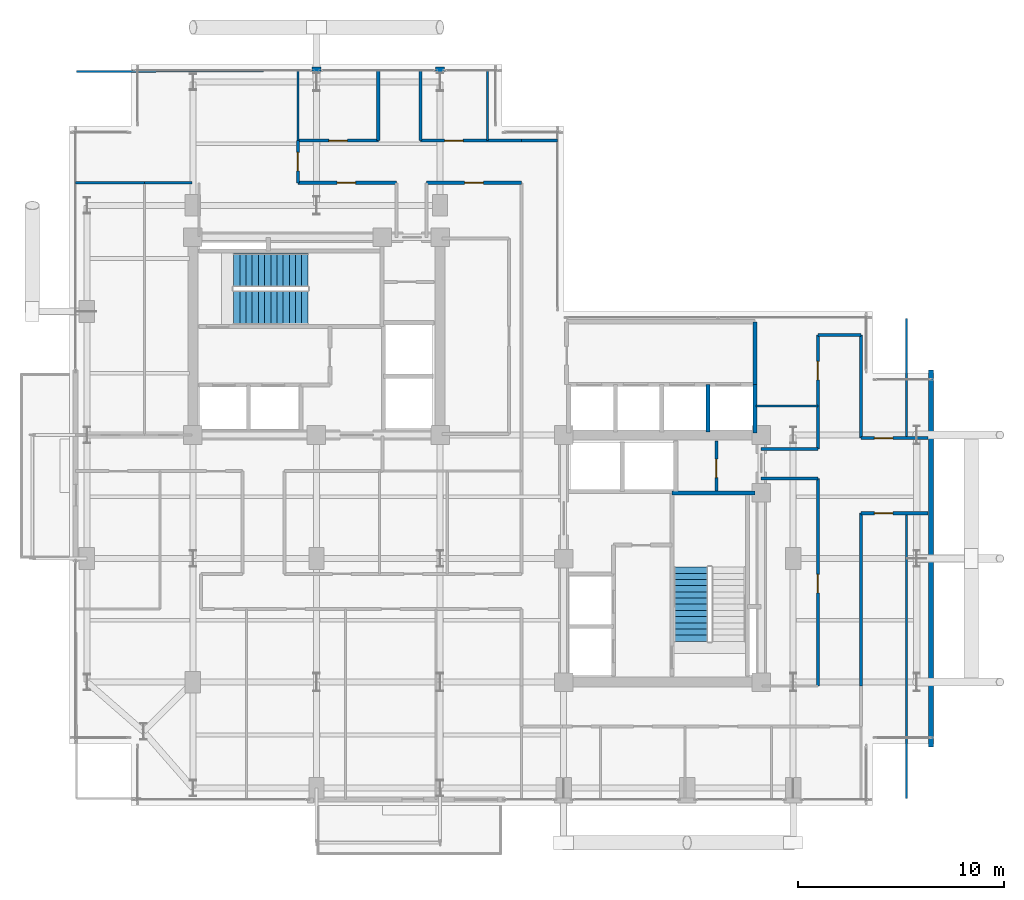
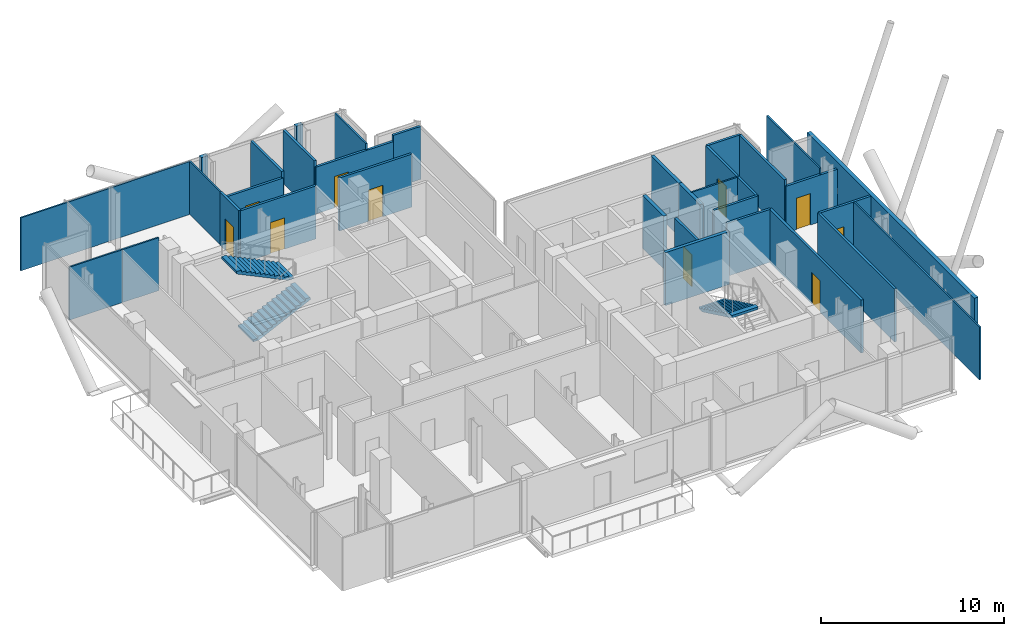
# One storey, part 19 of 22: 33 walls, 10 doors, 3 stair flights, 10 openings, 2 elements without a shape of their own.
"""IFC4 building model written with IfcOpenShell, lengths in metres."""

from ifc_helpers import new_model, si_unit, direction, frame, frame_2d, origin, place, context, subcontext, project, spatial, polyline, rectangle, outline, extrude, material, layer, layer_set, type_object, element, fill, aggregate, save


model = new_model("IFC4")

# Units and contexts
model_context = context("Model", 3, precision=1e-05, world=origin(), true_north=direction((0.0, 1.0)))
body_context = subcontext(model_context, "Body", "Model", "MODEL_VIEW")
ifc_project = project(units=[si_unit("LENGTHUNIT", "METRE"), si_unit("AREAUNIT", "SQUARE_METRE"), si_unit("VOLUMEUNIT", "CUBIC_METRE"), si_unit("PLANEANGLEUNIT", "RADIAN"), si_unit("MASSUNIT", "GRAM", prefix="KILO"), si_unit("THERMODYNAMICTEMPERATUREUNIT", "KELVIN"), si_unit("POWERUNIT", "WATT")], contexts=[model_context])

# Site, building, storey
site_placement = place(None, origin())
site = spatial("IfcSite", under=ifc_project, at=site_placement, CompositionType="ELEMENT")
building_placement = place(site_placement, origin())
building = spatial("IfcBuilding", under=site, at=building_placement, Name="Svarakhadi Broadcast Tower", CompositionType="ELEMENT")
storey_placement = place(building_placement, frame((0.0, 0.0, 191.699951171875)))
storey = spatial("IfcBuildingStorey", under=building, at=storey_placement, Name="L47", CompositionType="ELEMENT", Elevation=191.699951171875)

# Walls
ifc_material_1 = material(Name="Concrete C40/50 (IS 456 M50)", Category="concrete")
ifc_layer_1 = layer(ifc_material_1, 0.239990234375)
ifc_layer_set_1 = layer_set([ifc_layer_1], Name="Concrete C40/50 (IS 456 M50)")
wall_type_1 = type_object("IfcWallType", Name="Wall_Ext_240", PredefinedType="SOLIDWALL", material=ifc_layer_set_1)
wall_1_placement = place(storey_placement, frame((41.85009765625, 21.14990234375, 0.0), z_axis=(0.0, 0.0, 1.0), x_axis=(0.0, -1.0, 0.0)))
element("IfcWall", 1, at=wall_1_placement, inside=storey, type_object=wall_type_1, Name="L47 Sky-Pool Raker Anchor Exterior Wall", PredefinedType="SOLIDWALL", context=body_context, shape_type="SweptSolid", body=[
    extrude(rectangle(XDim=18.2998046875, YDim=0.239990234375, at=frame_2d((9.14990234375, 0.0))), origin(), (0.0, 0.0, 1.0), 3.5400390625),
])
for number, where, z_axis, x_axis, name in (
    (2, (11.784912109375, 35.760009765625, 0.0), (0.0, 0.0, 1.0), (1.0, 0.0, 0.0), "L47 Perimeter Bronze Spandrel Closure Wall 01"),
    (3, (17.784912109375, 35.760009765625, 0.0), (0.0, 0.0, 1.0), (1.0, 0.0, 0.0), "L47 Perimeter Bronze Spandrel Closure Wall 02"),
):
    element("IfcWall", number, at=place(storey_placement, frame(where, z_axis=z_axis, x_axis=x_axis)), inside=storey, type_object=wall_type_1, Name=name, PredefinedType="SOLIDWALL", context=body_context, shape_type="SweptSolid", body=[
        extrude(rectangle(XDim=0.43017578125, YDim=0.239990234375, at=frame_2d((0.215087890625, 0.0))), origin(), (0.0, 0.0, 1.0), 3.5400390625),
    ])
ifc_material_2 = material(Name="Fire-Rated Moisture-Resistant Gypsum Board Partition", Category="gypsum")
ifc_layer_2 = layer(ifc_material_2, 0.10009765625)
ifc_layer_set_2 = layer_set([ifc_layer_2], Name="Fire-Rated Moisture-Resistant Gypsum Board Partition")
wall_type_2 = type_object("IfcWallType", Name="Wall_Part_100", PredefinedType="PARTITIONING", material=ifc_layer_set_2)
wall_2_placement = place(storey_placement, frame((0.300048828125, 30.25, 0.0), z_axis=(0.0, 0.0, 1.0), x_axis=(1.0, 0.0, 0.0)))
element("IfcWall", 4, at=wall_2_placement, inside=storey, type_object=wall_type_2, Name="L47 Wellness Relaxation Alcove Wall", PredefinedType="PARTITIONING", context=body_context, shape_type="SweptSolid", body=[
    extrude(rectangle(XDim=3.349853515625, YDim=0.10009765625, at=frame_2d((1.6748046875, 0.0))), origin(), (0.0, 0.0, 1.0), 3.5400390625),
])
wall_3_placement = place(storey_placement, frame((3.64990234375, 30.25, 0.0), z_axis=(0.0, 0.0, 1.0), x_axis=(1.0, 0.0, 0.0)))
element("IfcWall", 5, at=wall_3_placement, inside=storey, type_object=wall_type_2, Name="L47 Herbal Tea Consultation Room Wall", PredefinedType="PARTITIONING", context=body_context, shape_type="SweptSolid", body=[
    extrude(rectangle(XDim=2.300048828125, YDim=0.10009765625, at=frame_2d((1.14990234375, 0.0))), origin(), (0.0, 0.0, 1.0), 3.5400390625),
])
wall_4_placement = place(storey_placement, frame((40.64990234375, 17.85009765625, 0.0), z_axis=(0.0, 0.0, 1.0), x_axis=(0.0, 1.0, 0.0)))
element("IfcWall", 6, at=wall_4_placement, inside=storey, type_object=wall_type_2, Name="L47 Hotel Harbour Panorama Suite Wall", PredefinedType="PARTITIONING", context=body_context, shape_type="SweptSolid", body=[
    extrude(rectangle(XDim=5.7998046875, YDim=0.10009765625, at=frame_2d((2.89990234375, 0.0))), origin(), (0.0, 0.0, 1.0), 3.5400390625),
])
wall_5_placement = place(storey_placement, frame((33.35009765625, 19.39990234375, 0.0), z_axis=(0.0, 0.0, 1.0), x_axis=(1.0, 0.0, 0.0)))
element("IfcWall", 7, at=wall_5_placement, inside=storey, type_object=wall_type_2, Name="L47 Harbour Sunset Reading Lounge Wall", PredefinedType="PARTITIONING", context=body_context, shape_type="SweptSolid", body=[
    extrude(rectangle(XDim=3.0, YDim=0.10009765625, at=frame_2d((1.5, 0.0))), origin(), (0.0, 0.0, 1.0), 3.5400390625),
])
wall_6_placement = place(storey_placement, frame((40.64990234375, 0.35009765625, 0.0), z_axis=(0.0, 0.0, 1.0), x_axis=(0.0, 1.0, 0.0)))
element("IfcWall", 8, at=wall_6_placement, inside=storey, type_object=wall_type_2, Name="L47 Harbour Spa Treatment Suite Wall", PredefinedType="PARTITIONING", context=body_context, shape_type="SweptSolid", body=[
    extrude(rectangle(XDim=13.849853515625, YDim=0.10009765625, at=frame_2d((6.9248046875, 0.0))), origin(), (0.0, 0.0, 1.0), 3.5400390625),
])
wall_7_placement = place(storey_placement, frame((0.35009765625, 35.64990234375, 0.0), z_axis=(0.0, 0.0, 1.0), x_axis=(0.999989162382, 0.004655654485, 0.0)))
element("IfcWall", 9, at=wall_7_placement, inside=storey, type_object=wall_type_2, Name="L47 Hotel Guest Yoga and Wellness Studio Wall", PredefinedType="PARTITIONING", context=body_context, shape_type="SweptSolid", body=[
    extrude(rectangle(XDim=10.75, YDim=0.10009765625, at=frame_2d((5.375, 0.0))), origin(), (0.0, 0.0, 1.0), 3.5400390625),
])
for number, where, z_axis, x_axis, name in (
    (10, (11.10009765625, 32.300048828125, 0.0), (0.0, 0.0, 1.0), (0.0, 1.0, 0.0), "L47 Guest Wellness Relaxation Salon Wall"),
    (11, (20.300048828125, 32.300048828125, 0.0), (0.0, 0.0, 1.0), (0.0, 1.0, 0.0), "L47 Hotel Pilates Studio Wall"),
):
    element("IfcWall", number, at=place(storey_placement, frame(where, z_axis=z_axis, x_axis=x_axis)), inside=storey, type_object=wall_type_2, Name=name, PredefinedType="PARTITIONING", context=body_context, shape_type="SweptSolid", body=[
        extrude(rectangle(XDim=3.39990234375, YDim=0.10009765625, at=frame_2d((1.699951171875, 0.0))), origin(), (0.0, 0.0, 1.0), 3.5400390625),
    ])

# Wall, opening, door
ifc_material_3 = material(Name="Autoclaved Aerated Concrete Blockwork 150 mm", Category="masonry")
ifc_layer_3 = layer(ifc_material_3, 0.14990234375)
ifc_layer_set_3 = layer_set([ifc_layer_3], Name="Autoclaved Aerated Concrete Blockwork 150 mm")
wall_type_3 = type_object("IfcWallType", Name="Wall_Part_150", PredefinedType="PARTITIONING", material=ifc_layer_set_3)
wall_8_placement = place(storey_placement, frame((31.419921875, 15.280029296875, 0.0), z_axis=(0.0, 0.0, 1.0), x_axis=(0.0, 1.0, 0.0)))
wall_8 = element("IfcWall", 12, at=wall_8_placement, inside=storey, type_object=wall_type_3, Name="L47 East Core Dual Store Wall", PredefinedType="PARTITIONING", context=body_context, shape_type="SweptSolid", body=[
    extrude(rectangle(XDim=2.419921875, YDim=0.14990234375, at=frame_2d((1.2099609375, 0.0))), origin(), (0.0, 0.0, 1.0), 3.5400390625),
])
opening_1_placement = place(wall_8_placement, frame((0.64990234375, 0.0, 0.0)))
opening_1 = element("IfcOpeningElement", 13, at=opening_1_placement, cuts=wall_8, Name="Opening D-04", PredefinedType="OPENING", context=body_context, shape_type="SweptSolid", body=[
    extrude(rectangle(XDim=0.89990234375, YDim=2.14990234375, at=frame_2d((0.449951171875, 1.074951171875))), frame((0.0, 0.0849609375, 0.0), z_axis=(0.0, -1.0, 0.0), x_axis=(1.0, 0.0, 0.0)), (0.0, 0.0, 1.0), 0.169921875),
])
ifc_material_4 = material(Name="Galvanised Powder-Coated Fire-Rated Steel Leaf", Category="steel")
door_type_1 = type_object("IfcDoorType", Name="Door_Fire_D04", OperationType="SINGLE_SWING_RIGHT", PredefinedType="DOOR", material=ifc_material_4)
door_1_placement = place(opening_1_placement, origin())
door_1 = element("IfcDoor", 14, at=door_1_placement, inside=storey, type_object=door_type_1, Name="L47 East Core Store B Door", OperationType="SINGLE_SWING_RIGHT", OverallHeight=2.14990234375, OverallWidth=0.89990234375, PredefinedType="DOOR", context=body_context, shape_type="SweptSolid", body=[
    extrude(rectangle(XDim=0.89990234375, YDim=2.14990234375, at=frame_2d((0.449951171875, 1.074951171875))), frame((0.0, 0.02490234375, 0.0), z_axis=(0.0, -1.0, 0.0), x_axis=(1.0, 0.0, 0.0)), (0.0, 0.0, 1.0), 0.050048828125),
])
fill(opening_1, door_1)

wall_9_placement = place(storey_placement, frame((36.35009765625, 5.800048828125, 0.0), z_axis=(0.0, 0.0, 1.0), x_axis=(0.0, 1.0, 0.0)))
wall_9 = element("IfcWall", 15, at=wall_9_placement, inside=storey, type_object=wall_type_3, Name="L47 Zone 2/3 Corridor Wall", PredefinedType="PARTITIONING", context=body_context, shape_type="SweptSolid", body=[
    extrude(rectangle(XDim=10.079833984375, YDim=0.14990234375, at=frame_2d((5.0400390625, 0.0))), origin(), (0.0, 0.0, 1.0), 3.5400390625),
])
opening_2_placement = place(wall_9_placement, frame((4.530029296875, 0.0, 0.0)))
opening_2 = element("IfcOpeningElement", 16, at=opening_2_placement, cuts=wall_9, Name="Opening D-14", PredefinedType="OPENING", context=body_context, shape_type="SweptSolid", body=[
    extrude(rectangle(XDim=0.89990234375, YDim=2.10009765625, at=frame_2d((0.449951171875, 1.050048828125))), frame((0.0, 0.0849609375, 0.0), z_axis=(0.0, -1.0, 0.0), x_axis=(1.0, 0.0, 0.0)), (0.0, 0.0, 1.0), 0.169921875),
])
ifc_material_5 = material(Name="Solid-Core Teak Veneer Acoustic Timber Leaf", Category="wood")
door_type_2 = type_object("IfcDoorType", Name="Door_Int_D14", OperationType="SINGLE_SWING_LEFT", PredefinedType="DOOR", material=ifc_material_5)
door_2_placement = place(opening_2_placement, origin())
door_2 = element("IfcDoor", 17, at=door_2_placement, inside=storey, type_object=door_type_2, Name="L47 Sommelier Wine Tasting Room Door", OperationType="SINGLE_SWING_LEFT", OverallHeight=2.10009765625, OverallWidth=0.89990234375, PredefinedType="DOOR", context=body_context, shape_type="SweptSolid", body=[
    extrude(rectangle(XDim=0.89990234375, YDim=2.10009765625, at=frame_2d((0.449951171875, 1.050048828125))), frame((0.0, 0.02490234375, 0.0), z_axis=(0.0, -1.0, 0.0), x_axis=(1.0, 0.0, 0.0)), (0.0, 0.0, 1.0), 0.050048828125),
])
fill(opening_2, door_2)

# Walls
for number, where, z_axis, x_axis, name in (
    (18, (36.35009765625, 15.8798828125, 0.0), (0.0, 0.0, 1.0), (-1.0, 0.0, 0.0), "L47 Zone 2/3 Corridor Wall"),
    (19, (33.580078125, 17.320068359375, 0.0), (0.0, 0.0, 1.0), (1.0, 0.0, 0.0), "L47 Zone 2/3 Corridor Wall"),
):
    element("IfcWall", number, at=place(storey_placement, frame(where, z_axis=z_axis, x_axis=x_axis)), inside=storey, type_object=wall_type_3, Name=name, PredefinedType="PARTITIONING", context=body_context, shape_type="SweptSolid", body=[
        extrude(rectangle(XDim=2.77001953125, YDim=0.14990234375, at=frame_2d((1.385009765625, 0.0))), origin(), (0.0, 0.0, 1.0), 3.5400390625),
    ])

# Wall, opening, door
wall_10_placement = place(storey_placement, frame((36.35009765625, 17.320068359375, 0.0), z_axis=(0.0, 0.0, 1.0), x_axis=(0.0, 1.0, 0.0)))
wall_10 = element("IfcWall", 20, at=wall_10_placement, inside=storey, type_object=wall_type_3, Name="L47 Zone 2/3 Corridor Wall", PredefinedType="PARTITIONING", context=body_context, shape_type="SweptSolid", body=[
    extrude(rectangle(XDim=5.530029296875, YDim=0.14990234375, at=frame_2d((2.76513671875, 0.0))), origin(), (0.0, 0.0, 1.0), 3.5400390625),
])
opening_3_placement = place(wall_10_placement, frame((3.35498046875, 0.0, 0.0)))
opening_3 = element("IfcOpeningElement", 21, at=opening_3_placement, cuts=wall_10, Name="Opening D-14", PredefinedType="OPENING", context=body_context, shape_type="SweptSolid", body=[
    extrude(rectangle(XDim=0.89990234375, YDim=2.10009765625, at=frame_2d((0.449951171875, 1.050048828125))), frame((0.0, 0.0849609375, 0.0), z_axis=(0.0, -1.0, 0.0), x_axis=(1.0, 0.0, 0.0)), (0.0, 0.0, 1.0), 0.169921875),
])
door_3_placement = place(opening_3_placement, origin())
door_3 = element("IfcDoor", 22, at=door_3_placement, inside=storey, type_object=door_type_2, Name="L47 Harbour Sunset Reading Lounge Door", OperationType="SINGLE_SWING_LEFT", OverallHeight=2.10009765625, OverallWidth=0.89990234375, PredefinedType="DOOR", context=body_context, shape_type="SweptSolid", body=[
    extrude(rectangle(XDim=0.89990234375, YDim=2.10009765625, at=frame_2d((0.449951171875, 1.050048828125))), frame((0.0, 0.02490234375, 0.0), z_axis=(0.0, -1.0, 0.0), x_axis=(1.0, 0.0, 0.0)), (0.0, 0.0, 1.0), 0.050048828125),
])
fill(opening_3, door_3)

# Walls
wall_11_placement = place(storey_placement, frame((36.35009765625, 22.85009765625, 0.0), z_axis=(0.0, 0.0, 1.0), x_axis=(1.0, 0.0, 0.0)))
element("IfcWall", 23, at=wall_11_placement, inside=storey, type_object=wall_type_3, Name="L47 Zone 2/3 Corridor Wall", PredefinedType="PARTITIONING", context=body_context, shape_type="SweptSolid", body=[
    extrude(rectangle(XDim=2.099853515625, YDim=0.14990234375, at=frame_2d((1.0498046875, 0.0))), origin(), (0.0, 0.0, 1.0), 3.5400390625),
])
wall_12_placement = place(storey_placement, frame((38.449951171875, 22.85009765625, 0.0), z_axis=(0.0, 0.0, 1.0), x_axis=(0.0, -1.0, 0.0)))
element("IfcWall", 24, at=wall_12_placement, inside=storey, type_object=wall_type_3, Name="L47 Zone 2/3 Corridor Wall", PredefinedType="PARTITIONING", context=body_context, shape_type="SweptSolid", body=[
    extrude(rectangle(XDim=5.0, YDim=0.14990234375, at=frame_2d((2.5, 0.0))), origin(), (0.0, 0.0, 1.0), 3.5400390625),
])

# Wall, opening, door
wall_13_placement = place(storey_placement, frame((38.449951171875, 17.85009765625, 0.0), z_axis=(0.0, 0.0, 1.0), x_axis=(1.0, 0.0, 0.0)))
wall_13 = element("IfcWall", 25, at=wall_13_placement, inside=storey, type_object=wall_type_3, Name="L47 Zone 2/3 Corridor Wall", PredefinedType="PARTITIONING", context=body_context, shape_type="SweptSolid", body=[
    extrude(rectangle(XDim=3.25, YDim=0.14990234375, at=frame_2d((1.625, 0.0))), origin(), (0.0, 0.0, 1.0), 3.132080078125),
])
opening_4_placement = place(wall_13_placement, frame((0.64990234375, 0.0, 0.0)))
opening_4 = element("IfcOpeningElement", 26, at=opening_4_placement, cuts=wall_13, Name="Opening D-14", PredefinedType="OPENING", context=body_context, shape_type="SweptSolid", body=[
    extrude(rectangle(XDim=0.89990234375, YDim=2.10009765625, at=frame_2d((0.449951171875, 1.050048828125))), frame((0.0, 0.0849609375, 0.0), z_axis=(0.0, -1.0, 0.0), x_axis=(1.0, 0.0, 0.0)), (0.0, 0.0, 1.0), 0.169921875),
])
door_4_placement = place(opening_4_placement, origin())
door_4 = element("IfcDoor", 27, at=door_4_placement, inside=storey, type_object=door_type_2, Name="L47 Hotel Harbour Panorama Suite Door", OperationType="SINGLE_SWING_LEFT", OverallHeight=2.10009765625, OverallWidth=0.89990234375, PredefinedType="DOOR", context=body_context, shape_type="SweptSolid", body=[
    extrude(rectangle(XDim=0.89990234375, YDim=2.10009765625, at=frame_2d((0.449951171875, 1.050048828125))), frame((0.0, 0.02490234375, 0.0), z_axis=(0.0, -1.0, 0.0), x_axis=(1.0, 0.0, 0.0)), (0.0, 0.0, 1.0), 0.050048828125),
])
fill(opening_4, door_4)

wall_14_placement = place(storey_placement, frame((41.699951171875, 14.199951171875, 0.0), z_axis=(0.0, 0.0, 1.0), x_axis=(-1.0, 0.0, 0.0)))
wall_14 = element("IfcWall", 28, at=wall_14_placement, inside=storey, type_object=wall_type_3, Name="L47 Zone 2/3 Corridor Wall", PredefinedType="PARTITIONING", context=body_context, shape_type="SweptSolid", body=[
    extrude(rectangle(XDim=3.25, YDim=0.14990234375, at=frame_2d((1.625, 0.0))), origin(), (0.0, 0.0, 1.0), 3.5400390625),
])
opening_5_placement = place(wall_14_placement, frame((1.699951171875, 0.0, 0.0)))
opening_5 = element("IfcOpeningElement", 29, at=opening_5_placement, cuts=wall_14, Name="Opening D-14", PredefinedType="OPENING", context=body_context, shape_type="SweptSolid", body=[
    extrude(rectangle(XDim=0.89990234375, YDim=2.10009765625, at=frame_2d((0.449951171875, 1.050048828125))), frame((0.0, 0.0849609375, 0.0), z_axis=(0.0, -1.0, 0.0), x_axis=(1.0, 0.0, 0.0)), (0.0, 0.0, 1.0), 0.169921875),
])
door_5_placement = place(opening_5_placement, origin())
door_5 = element("IfcDoor", 30, at=door_5_placement, inside=storey, type_object=door_type_2, Name="L47 Harbour Spa Treatment Suite Door", OperationType="SINGLE_SWING_LEFT", OverallHeight=2.10009765625, OverallWidth=0.89990234375, PredefinedType="DOOR", context=body_context, shape_type="SweptSolid", body=[
    extrude(rectangle(XDim=0.89990234375, YDim=2.10009765625, at=frame_2d((0.449951171875, 1.050048828125))), frame((0.0, 0.02490234375, 0.0), z_axis=(0.0, -1.0, 0.0), x_axis=(1.0, 0.0, 0.0)), (0.0, 0.0, 1.0), 0.050048828125),
])
fill(opening_5, door_5)

# Wall
wall_15_placement = place(storey_placement, frame((38.449951171875, 14.199951171875, 0.0), z_axis=(0.0, 0.0, 1.0), x_axis=(0.0, -1.0, 0.0)))
element("IfcWall", 31, at=wall_15_placement, inside=storey, type_object=wall_type_3, Name="L47 Zone 2/3 Corridor Wall", PredefinedType="PARTITIONING", context=body_context, shape_type="SweptSolid", body=[
    extrude(rectangle(XDim=8.39990234375, YDim=0.14990234375, at=frame_2d((4.199951171875, 0.0))), origin(), (0.0, 0.0, 1.0), 3.5400390625),
])

# Wall, opening, door
wall_16_placement = place(storey_placement, frame((21.949951171875, 30.25, 0.0), z_axis=(0.0, 0.0, 1.0), x_axis=(-1.0, 0.0, 0.0)))
wall_16 = element("IfcWall", 32, at=wall_16_placement, inside=storey, type_object=wall_type_3, Name="L47 Zone 2/3 Corridor Wall", PredefinedType="PARTITIONING", context=body_context, shape_type="SweptSolid", body=[
    extrude(rectangle(XDim=4.599853515625, YDim=0.14990234375, at=frame_2d((2.2998046875, 0.0))), origin(), (0.0, 0.0, 1.0), 3.5400390625),
])
opening_6_placement = place(wall_16_placement, frame((1.85009765625, 0.0, 0.0)))
opening_6 = element("IfcOpeningElement", 33, at=opening_6_placement, cuts=wall_16, Name="Opening D-14", PredefinedType="OPENING", context=body_context, shape_type="SweptSolid", body=[
    extrude(rectangle(XDim=0.89990234375, YDim=2.10009765625, at=frame_2d((0.449951171875, 1.050048828125))), frame((0.0, 0.0849609375, 0.0), z_axis=(0.0, -1.0, 0.0), x_axis=(1.0, 0.0, 0.0)), (0.0, 0.0, 1.0), 0.169921875),
])
door_6_placement = place(opening_6_placement, origin())
door_6 = element("IfcDoor", 34, at=door_6_placement, inside=storey, type_object=door_type_2, Name="L47 Guest Quiet Study Door", OperationType="SINGLE_SWING_LEFT", OverallHeight=2.10009765625, OverallWidth=0.89990234375, PredefinedType="DOOR", context=body_context, shape_type="SweptSolid", body=[
    extrude(rectangle(XDim=0.89990234375, YDim=2.10009765625, at=frame_2d((0.449951171875, 1.050048828125))), frame((0.0, 0.02490234375, 0.0), z_axis=(0.0, -1.0, 0.0), x_axis=(1.0, 0.0, 0.0)), (0.0, 0.0, 1.0), 0.050048828125),
])
fill(opening_6, door_6)

wall_17_placement = place(storey_placement, frame((15.8798828125, 30.25, 0.0), z_axis=(0.0, 0.0, 1.0), x_axis=(-1.0, 0.0, 0.0)))
wall_17 = element("IfcWall", 35, at=wall_17_placement, inside=storey, type_object=wall_type_3, Name="L47 Zone 2/3 Corridor Wall", PredefinedType="PARTITIONING", context=body_context, shape_type="SweptSolid", body=[
    extrude(rectangle(XDim=4.77978515625, YDim=0.14990234375, at=frame_2d((2.389892578125, 0.0))), origin(), (0.0, 0.0, 1.0), 3.5400390625),
])
opening_7_placement = place(wall_17_placement, frame((1.97998046875, 0.0, 0.0)))
opening_7 = element("IfcOpeningElement", 36, at=opening_7_placement, cuts=wall_17, Name="Opening D-14", PredefinedType="OPENING", context=body_context, shape_type="SweptSolid", body=[
    extrude(rectangle(XDim=0.89990234375, YDim=2.10009765625, at=frame_2d((0.449951171875, 1.050048828125))), frame((0.0, 0.0849609375, 0.0), z_axis=(0.0, -1.0, 0.0), x_axis=(1.0, 0.0, 0.0)), (0.0, 0.0, 1.0), 0.169921875),
])
door_7_placement = place(opening_7_placement, origin())
door_7 = element("IfcDoor", 37, at=door_7_placement, inside=storey, type_object=door_type_2, Name="L47 Guest Library Study Door", OperationType="SINGLE_SWING_LEFT", OverallHeight=2.10009765625, OverallWidth=0.89990234375, PredefinedType="DOOR", context=body_context, shape_type="SweptSolid", body=[
    extrude(rectangle(XDim=0.89990234375, YDim=2.10009765625, at=frame_2d((0.449951171875, 1.050048828125))), frame((0.0, 0.02490234375, 0.0), z_axis=(0.0, -1.0, 0.0), x_axis=(1.0, 0.0, 0.0)), (0.0, 0.0, 1.0), 0.050048828125),
])
fill(opening_7, door_7)

wall_18_placement = place(storey_placement, frame((11.10009765625, 30.25, 0.0), z_axis=(0.0, 0.0, 1.0), x_axis=(0.0, 1.0, 0.0)))
wall_18 = element("IfcWall", 38, at=wall_18_placement, inside=storey, type_object=wall_type_3, Name="L47 Zone 2/3 Corridor Wall", PredefinedType="PARTITIONING", context=body_context, shape_type="SweptSolid", body=[
    extrude(rectangle(XDim=2.050048828125, YDim=0.14990234375, at=frame_2d((1.02490234375, 0.0))), origin(), (0.0, 0.0, 1.0), 3.5400390625),
])
opening_8_placement = place(wall_18_placement, frame((0.574951171875, 0.0, 0.0)))
opening_8 = element("IfcOpeningElement", 39, at=opening_8_placement, cuts=wall_18, Name="Opening D-14", PredefinedType="OPENING", context=body_context, shape_type="SweptSolid", body=[
    extrude(rectangle(XDim=0.89990234375, YDim=2.10009765625, at=frame_2d((0.449951171875, 1.050048828125))), frame((0.0, 0.0849609375, 0.0), z_axis=(0.0, -1.0, 0.0), x_axis=(1.0, 0.0, 0.0)), (0.0, 0.0, 1.0), 0.169921875),
])
door_8_placement = place(opening_8_placement, origin())
door_8 = element("IfcDoor", 40, at=door_8_placement, inside=storey, type_object=door_type_2, Name="L47 Hotel Guest Yoga and Wellness Studio Door", OperationType="SINGLE_SWING_LEFT", OverallHeight=2.10009765625, OverallWidth=0.89990234375, PredefinedType="DOOR", context=body_context, shape_type="SweptSolid", body=[
    extrude(rectangle(XDim=0.89990234375, YDim=2.10009765625, at=frame_2d((0.449951171875, 1.050048828125))), frame((0.0, 0.02490234375, 0.0), z_axis=(0.0, -1.0, 0.0), x_axis=(1.0, 0.0, 0.0)), (0.0, 0.0, 1.0), 0.050048828125),
])
fill(opening_8, door_8)

wall_19_placement = place(storey_placement, frame((11.10009765625, 32.300048828125, 0.0), z_axis=(0.0, 0.0, 1.0), x_axis=(1.0, 0.0, 0.0)))
wall_19 = element("IfcWall", 41, at=wall_19_placement, inside=storey, type_object=wall_type_3, Name="L47 Zone 2/3 Corridor Wall", PredefinedType="PARTITIONING", context=body_context, shape_type="SweptSolid", body=[
    extrude(rectangle(XDim=3.89990234375, YDim=0.14990234375, at=frame_2d((1.949951171875, 0.0))), origin(), (0.0, 0.0, 1.0), 3.132080078125),
])
opening_9_placement = place(wall_19_placement, frame((1.5, 0.0, 0.0)))
opening_9 = element("IfcOpeningElement", 42, at=opening_9_placement, cuts=wall_19, Name="Opening D-15", PredefinedType="OPENING", context=body_context, shape_type="SweptSolid", body=[
    extrude(rectangle(XDim=0.89990234375, YDim=2.10009765625, at=frame_2d((0.449951171875, 1.050048828125))), frame((0.0, 0.0849609375, 0.0), z_axis=(0.0, -1.0, 0.0), x_axis=(1.0, 0.0, 0.0)), (0.0, 0.0, 1.0), 0.169921875),
])
door_type_3 = type_object("IfcDoorType", Name="Door_Int_D15", OperationType="SINGLE_SWING_RIGHT", PredefinedType="DOOR", material=ifc_material_5)
door_9_placement = place(opening_9_placement, origin())
door_9 = element("IfcDoor", 43, at=door_9_placement, inside=storey, type_object=door_type_3, Name="L47 Guest Wellness Relaxation Salon Door", OperationType="SINGLE_SWING_RIGHT", OverallHeight=2.10009765625, OverallWidth=0.89990234375, PredefinedType="DOOR", context=body_context, shape_type="SweptSolid", body=[
    extrude(rectangle(XDim=0.89990234375, YDim=2.10009765625, at=frame_2d((0.449951171875, 1.050048828125))), frame((0.0, 0.02490234375, 0.0), z_axis=(0.0, -1.0, 0.0), x_axis=(1.0, 0.0, 0.0)), (0.0, 0.0, 1.0), 0.050048828125),
])
fill(opening_9, door_9)

# Walls
for number, where, z_axis, x_axis, name in (
    (44, (15.0, 32.300048828125, 0.0), (0.0, 0.0, 1.0), (0.0, 1.0, 0.0), "L47 Zone 2/3 Corridor Wall"),
    (45, (17.050048828125, 35.699951171875, 0.0), (0.0, 0.0, 1.0), (0.0, -1.0, 0.0), "L47 Zone 2/3 Corridor Wall"),
):
    element("IfcWall", number, at=place(storey_placement, frame(where, z_axis=z_axis, x_axis=x_axis)), inside=storey, type_object=wall_type_3, Name=name, PredefinedType="PARTITIONING", context=body_context, shape_type="SweptSolid", body=[
        extrude(rectangle(XDim=3.39990234375, YDim=0.14990234375, at=frame_2d((1.699951171875, 0.0))), origin(), (0.0, 0.0, 1.0), 3.5400390625),
    ])

# Wall, opening, door
wall_20_placement = place(storey_placement, frame((17.050048828125, 32.300048828125, 0.0), z_axis=(0.0, 0.0, 1.0), x_axis=(1.0, 0.0, 0.0)))
wall_20 = element("IfcWall", 46, at=wall_20_placement, inside=storey, type_object=wall_type_3, Name="L47 Zone 2/3 Corridor Wall", PredefinedType="PARTITIONING", context=body_context, shape_type="SweptSolid", body=[
    extrude(rectangle(XDim=4.89990234375, YDim=0.14990234375, at=frame_2d((2.449951171875, 0.0))), origin(), (0.0, 0.0, 1.0), 3.132080078125),
])
opening_10_placement = place(wall_20_placement, frame((1.175048828125, 0.0, 0.0)))
opening_10 = element("IfcOpeningElement", 47, at=opening_10_placement, cuts=wall_20, Name="Opening D-14", PredefinedType="OPENING", context=body_context, shape_type="SweptSolid", body=[
    extrude(rectangle(XDim=0.89990234375, YDim=2.10009765625, at=frame_2d((0.449951171875, 1.050048828125))), frame((0.0, 0.0849609375, 0.0), z_axis=(0.0, -1.0, 0.0), x_axis=(1.0, 0.0, 0.0)), (0.0, 0.0, 1.0), 0.169921875),
])
door_10_placement = place(opening_10_placement, origin())
door_10 = element("IfcDoor", 48, at=door_10_placement, inside=storey, type_object=door_type_2, Name="L47 Hotel Pilates Studio Door", OperationType="SINGLE_SWING_LEFT", OverallHeight=2.10009765625, OverallWidth=0.89990234375, PredefinedType="DOOR", context=body_context, shape_type="SweptSolid", body=[
    extrude(rectangle(XDim=0.89990234375, YDim=2.10009765625, at=frame_2d((0.449951171875, 1.050048828125))), frame((0.0, 0.02490234375, 0.0), z_axis=(0.0, -1.0, 0.0), x_axis=(1.0, 0.0, 0.0)), (0.0, 0.0, 1.0), 0.050048828125),
])
fill(opening_10, door_10)

# Walls
wall_21_placement = place(storey_placement, frame((21.949951171875, 32.300048828125, 0.0), z_axis=(0.0, 0.0, 1.0), x_axis=(1.0, 0.0, 0.0)))
element("IfcWall", 49, at=wall_21_placement, inside=storey, type_object=wall_type_3, Name="L47 Zone 2/3 Corridor Wall", PredefinedType="PARTITIONING", context=body_context, shape_type="SweptSolid", body=[
    extrude(rectangle(XDim=1.75, YDim=0.14990234375, at=frame_2d((0.875, 0.0))), origin(), (0.0, 0.0, 1.0), 3.5400390625),
])
ifc_material_6 = material(Name="Concrete C50/60 (IS 456 M60)", Category="concrete")
ifc_layer_4 = layer(ifc_material_6, 0.199951171875)
ifc_layer_set_4 = layer_set([ifc_layer_4], Name="Concrete C50/60 (IS 456 M60)")
wall_type_4 = type_object("IfcWallType", Name="Wall_Shear_200", PredefinedType="SHEAR", material=ifc_layer_set_4)
wall_22_placement = place(storey_placement, frame((29.260009765625, 15.179931640625, 0.0), z_axis=(0.0, 0.0, 1.0), x_axis=(1.0, 0.0, 0.0)))
element("IfcWall", 50, at=wall_22_placement, inside=storey, type_object=wall_type_4, Name="L47 Stair ST-02 North RC Shaft Wall", PredefinedType="SHEAR", context=body_context, shape_type="SweptSolid", body=[
    extrude(rectangle(XDim=4.0400390625, YDim=0.199951171875, at=frame_2d((2.02001953125, 0.0))), origin(), (0.0, 0.0, 1.0), 3.5400390625),
])
wall_23_placement = place(storey_placement, frame((33.300048828125, 18.10009765625, 0.0), z_axis=(0.0, 0.0, 1.0), x_axis=(0.0, 1.0, 0.0)))
element("IfcWall", 51, at=wall_23_placement, inside=storey, type_object=wall_type_4, Name="L47 Bank B East Shaft Wall", PredefinedType="SHEAR", context=body_context, shape_type="SweptSolid", body=[
    extrude(rectangle(XDim=2.349853515625, YDim=0.199951171875, at=frame_2d((1.1748046875, 0.0))), origin(), (0.0, 0.0, 1.0), 3.5400390625),
])
wall_24_placement = place(storey_placement, frame((31.02001953125, 18.14990234375, 0.0), z_axis=(0.0, 0.0, 1.0), x_axis=(0.0, 1.0, 0.0)))
element("IfcWall", 52, at=wall_24_placement, inside=storey, type_object=wall_type_4, Name="L47 Bank B Divider", PredefinedType="SHEAR", context=body_context, shape_type="SweptSolid", body=[
    extrude(rectangle(XDim=2.300048828125, YDim=0.199951171875, at=frame_2d((1.14990234375, 0.0))), origin(), (0.0, 0.0, 1.0), 3.5400390625),
])
wall_25_placement = place(storey_placement, frame((33.300048828125, 20.449951171875, 0.0), z_axis=(0.0, 0.0, 1.0), x_axis=(0.0, 1.0, 0.0)))
element("IfcWall", 53, at=wall_25_placement, inside=storey, type_object=wall_type_4, Name="L47 Bank B Lift Hall East Wall", PredefinedType="SHEAR", context=body_context, shape_type="SweptSolid", body=[
    extrude(rectangle(XDim=3.050048828125, YDim=0.199951171875, at=frame_2d((1.52490234375, 0.0))), origin(), (0.0, 0.0, 1.0), 3.5400390625),
])

# Stair, stair flights
stair_type = type_object("IfcStairType", Name="Stair_Exit_Core", PredefinedType="HALF_TURN_STAIR", material=ifc_material_1)
stair_1_placement = place(storey_placement, origin())
stair_1 = element("IfcStair", 54, at=stair_1_placement, inside=storey, type_object=stair_type, Name="L47 West Core Protected Exit Stair ST-01", PredefinedType="HALF_TURN_STAIR")
stair_flight_type = type_object("IfcStairFlightType", Name="Flight_RC_1680", PredefinedType="STRAIGHT", material=ifc_material_1)
stair_flight_1_placement = place(storey_placement, frame((7.97998046875, 24.18994140625, 0.0), z_axis=(0.0, 0.0, 1.0), x_axis=(1.0, 0.0, 0.0)))
stair_flight_1 = element("IfcStairFlight", 55, at=stair_flight_1_placement, type_object=stair_flight_type, Name="ST-01 flight 1", NumberOfRisers=13, NumberOfTreads=12, PredefinedType="STRAIGHT", RiserHeight=0.144230769, TreadLength=0.3, context=body_context, shape_type="SweptSolid", body=[
    extrude(outline(polyline([(0.0, 0.0), (0.0, 0.144287109375), (0.300048828125, 0.144287109375), (0.300048828125, 0.28857421875), (0.60009765625, 0.28857421875), (0.60009765625, 0.4326171875), (0.89990234375, 0.4326171875), (0.89990234375, 0.576904296875), (1.199951171875, 0.576904296875), (1.199951171875, 0.72119140625), (1.5, 0.72119140625), (1.5, 0.865478515625), (1.800048828125, 0.865478515625), (1.800048828125, 1.009521484375), (2.10009765625, 1.009521484375), (2.10009765625, 1.15380859375), (2.39990234375, 1.15380859375), (2.39990234375, 1.298095703125), (2.699951171875, 1.298095703125), (2.699951171875, 1.4423828125), (3.0, 1.4423828125), (3.0, 1.58642578125), (3.300048828125, 1.58642578125), (3.300048828125, 1.730712890625), (3.60009765625, 1.730712890625), (3.60009765625, 1.875), (3.60009765625, 1.564453125), (0.345947265625, 0.0), (0.0, 0.0)])), frame((0.0, 0.830078125, 0.0), z_axis=(0.0, -1.0, 0.0), x_axis=(1.0, 0.0, 0.0)), (0.0, 0.0, 1.0), 1.659912109375),
])
stair_flight_2_placement = place(storey_placement, frame((11.580078125, 26.010009765625, 1.875), z_axis=(0.0, 0.0, 1.0), x_axis=(-1.0, 0.0, 0.0)))
stair_flight_2 = element("IfcStairFlight", 56, at=stair_flight_2_placement, type_object=stair_flight_type, Name="ST-01 flight 2", NumberOfRisers=13, NumberOfTreads=12, PredefinedType="STRAIGHT", RiserHeight=0.144230769, TreadLength=0.3, context=body_context, shape_type="SweptSolid", body=[
    extrude(outline(polyline([(0.0, 0.0), (0.0, 0.144287109375), (0.300048828125, 0.144287109375), (0.300048828125, 0.28857421875), (0.60009765625, 0.28857421875), (0.60009765625, 0.4326171875), (0.89990234375, 0.4326171875), (0.89990234375, 0.576904296875), (1.199951171875, 0.576904296875), (1.199951171875, 0.72119140625), (1.5, 0.72119140625), (1.5, 0.865478515625), (1.800048828125, 0.865478515625), (1.800048828125, 1.009521484375), (2.10009765625, 1.009521484375), (2.10009765625, 1.15380859375), (2.39990234375, 1.15380859375), (2.39990234375, 1.298095703125), (2.699951171875, 1.298095703125), (2.699951171875, 1.4423828125), (3.0, 1.4423828125), (3.0, 1.58642578125), (3.300048828125, 1.58642578125), (3.300048828125, 1.730712890625), (3.60009765625, 1.730712890625), (3.60009765625, 1.875), (3.60009765625, 1.564453125), (0.345947265625, 0.0), (0.0, 0.0)])), frame((0.0, 0.830078125, 0.0), z_axis=(0.0, -1.0, 0.0), x_axis=(1.0, 0.0, 0.0)), (0.0, 0.0, 1.0), 1.659912109375),
])
aggregate(stair_1, [stair_flight_1, stair_flight_2])

# Stair, stair flight
stair_2_placement = place(storey_placement, origin())
stair_2 = element("IfcStair", 57, at=stair_2_placement, inside=storey, type_object=stair_type, Name="L47 East Core Protected Exit Stair ST-02", PredefinedType="HALF_TURN_STAIR")
stair_flight_3_placement = place(storey_placement, frame((30.18994140625, 11.580078125, 1.875), z_axis=(0.0, 0.0, 1.0), x_axis=(0.0, -1.0, 0.0)))
stair_flight_3 = element("IfcStairFlight", 58, at=stair_flight_3_placement, type_object=stair_flight_type, Name="ST-02 flight 2", NumberOfRisers=13, NumberOfTreads=12, PredefinedType="STRAIGHT", RiserHeight=0.144230769, TreadLength=0.3, context=body_context, shape_type="SweptSolid", body=[
    extrude(outline(polyline([(0.0, 0.0), (0.0, 0.144287109375), (0.300048828125, 0.144287109375), (0.300048828125, 0.28857421875), (0.60009765625, 0.28857421875), (0.60009765625, 0.4326171875), (0.89990234375, 0.4326171875), (0.89990234375, 0.576904296875), (1.199951171875, 0.576904296875), (1.199951171875, 0.72119140625), (1.5, 0.72119140625), (1.5, 0.865478515625), (1.800048828125, 0.865478515625), (1.800048828125, 1.009521484375), (2.10009765625, 1.009521484375), (2.10009765625, 1.15380859375), (2.39990234375, 1.15380859375), (2.39990234375, 1.298095703125), (2.699951171875, 1.298095703125), (2.699951171875, 1.4423828125), (3.0, 1.4423828125), (3.0, 1.58642578125), (3.300048828125, 1.58642578125), (3.300048828125, 1.730712890625), (3.60009765625, 1.730712890625), (3.60009765625, 1.875), (3.60009765625, 1.564453125), (0.345947265625, 0.0), (0.0, 0.0)])), frame((0.0, 0.830078125, 0.0), z_axis=(0.0, -1.0, 0.0), x_axis=(1.0, 0.0, 0.0)), (0.0, 0.0, 1.0), 1.659912109375),
])
aggregate(stair_2, [stair_flight_3])

save(model, "model.ifc")
